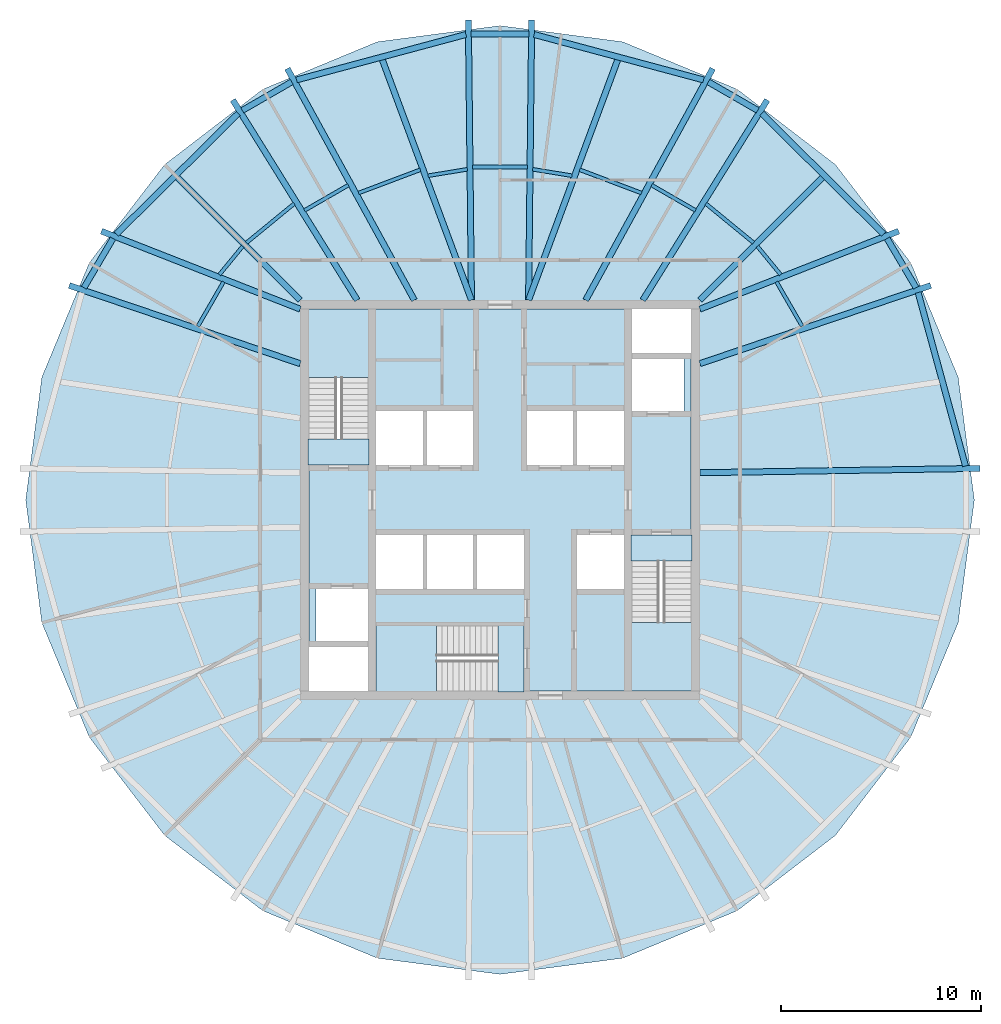
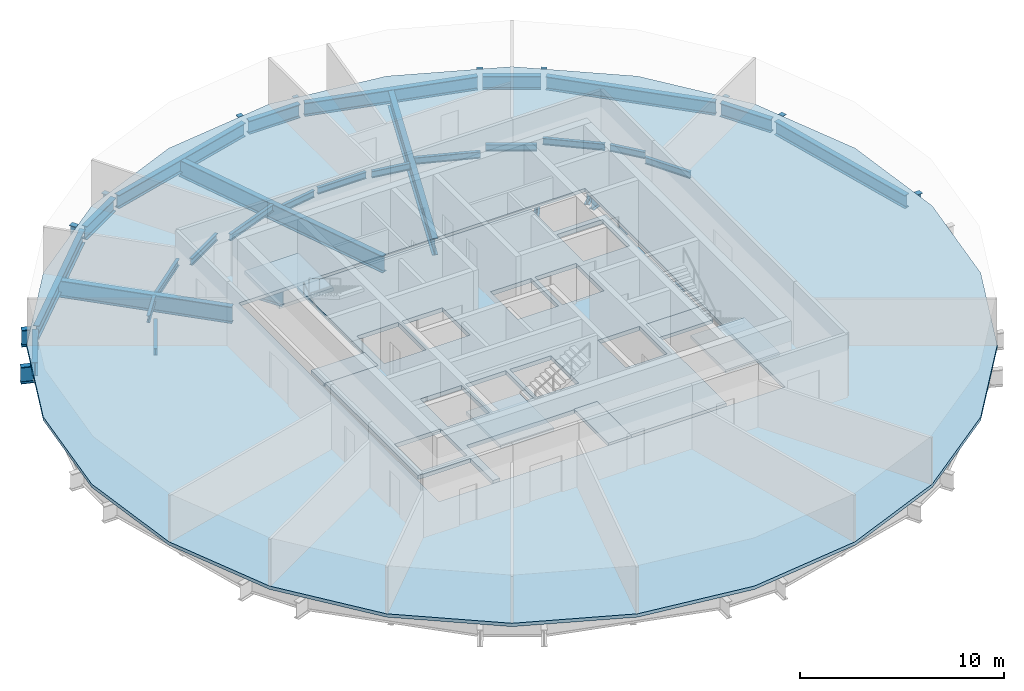
# One storey, part 2 of 6: 38 beams, 8 slabs, 3 elements without a shape of their own.
"""IFC4 building model written with IfcOpenShell, lengths in metres."""

from ifc_helpers import new_model, si_unit, direction, frame, origin, origin_2d, place, context, subcontext, project, spatial, polyline, i_section, outline, extrude, material, layer, layer_set, material_profile, profile_set, type_object, element, aggregate, save


model = new_model("IFC4")

# Units and contexts
model_context = context("Model", 3, precision=1e-05, world=origin(), true_north=direction((0.0, 1.0)))
body_context = subcontext(model_context, "Body", "Model", "MODEL_VIEW")
ifc_project = project(units=[si_unit("LENGTHUNIT", "METRE"), si_unit("AREAUNIT", "SQUARE_METRE"), si_unit("VOLUMEUNIT", "CUBIC_METRE"), si_unit("PLANEANGLEUNIT", "RADIAN"), si_unit("MASSUNIT", "GRAM", prefix="KILO")], contexts=[model_context])

# Site, building, storey
site_placement = place(None, origin())
site = spatial("IfcSite", under=ifc_project, at=site_placement, CompositionType="ELEMENT")
building_placement = place(site_placement, origin())
building = spatial("IfcBuilding", under=site, at=building_placement, Name="Golbaran Civic Tower", CompositionType="ELEMENT")
storey_placement = place(building_placement, frame((0.0, 0.0, 187.0)))
storey = spatial("IfcBuildingStorey", under=building, at=storey_placement, Name="L45", CompositionType="ELEMENT", Elevation=187.0)

# Beams
ifc_material_1 = material(Name="Steel S355", Category="steel")
ifc_material_profile_1 = material_profile(ifc_material_1, i_section(OverallWidth=0.300048828125, OverallDepth=0.800048828125, WebThickness=0.017578125, FlangeThickness=0.032958984375, FilletRadius=0.030029296875, at=origin_2d()), Name="HEB 800")
ifc_profile_set_1 = profile_set([ifc_material_profile_1], Name="Steel S355")
beam_type_1 = type_object("IfcBeamType", Name="EDGE BEAM HEB 800", PredefinedType="BEAM", material=ifc_profile_set_1)
beam_1_placement = place(storey_placement, frame((23.2900390625, 1.700439453125, -0.60009765625), z_axis=(-0.263503112091, 0.964658545766, 0.0), x_axis=(-0.964658545766, -0.263503112091, 0.0)))
element("IfcBeam", 1, at=beam_1_placement, inside=storey, type_object=beam_type_1, Name="Edge beam 3.70 L45", PredefinedType="BEAM", context=body_context, shape_type="SweptSolid", body=[
    extrude(i_section(OverallWidth=0.300048828125, OverallDepth=0.800048828125, WebThickness=0.017578125, FlangeThickness=0.032958984375, FilletRadius=0.030029296875, at=origin_2d()), origin(), (0.0, 0.0, 1.0), 8.997314453125),
])
beam_2_placement = place(storey_placement, frame((20.8173828125, 10.619873046875, -0.60009765625), z_axis=(-0.508067824536, 0.861317064542, 0.0), x_axis=(-0.861317064542, -0.508067824536, 0.0)))
element("IfcBeam", 2, at=beam_2_placement, inside=storey, type_object=beam_type_1, Name="Edge beam 26.30 L45", PredefinedType="BEAM", context=body_context, shape_type="SweptSolid", body=[
    extrude(i_section(OverallWidth=0.300048828125, OverallDepth=0.800048828125, WebThickness=0.017578125, FlangeThickness=0.032958984375, FilletRadius=0.030029296875, at=origin_2d()), origin(), (0.0, 0.0, 1.0), 2.860595703125),
])
beam_3_placement = place(storey_placement, frame((19.196044921875, 13.297119140625, -0.60009765625), z_axis=(-0.710598602397, 0.703597630945, 0.0), x_axis=(-0.703597630945, -0.710598602397, 0.0)))
element("IfcBeam", 3, at=beam_3_placement, inside=storey, type_object=beam_type_1, Name="Edge beam 33.70 L45", PredefinedType="BEAM", context=body_context, shape_type="SweptSolid", body=[
    extrude(i_section(OverallWidth=0.300048828125, OverallDepth=0.800048828125, WebThickness=0.017578125, FlangeThickness=0.032958984375, FilletRadius=0.030029296875, at=origin_2d()), origin(), (0.0, 0.0, 1.0), 8.57861328125),
])
beam_4_placement = place(storey_placement, frame((12.892822265625, 19.491943359375, -0.60009765625), z_axis=(-0.866187010848, 0.49971998383, 0.0), x_axis=(-0.49971998383, -0.866187010848, 0.0)))
element("IfcBeam", 4, at=beam_4_placement, inside=storey, type_object=beam_type_1, Name="Edge beam 56.30 L45", PredefinedType="BEAM", context=body_context, shape_type="SweptSolid", body=[
    extrude(i_section(OverallWidth=0.300048828125, OverallDepth=0.800048828125, WebThickness=0.017578125, FlangeThickness=0.032958984375, FilletRadius=0.030029296875, at=origin_2d()), origin(), (0.0, 0.0, 1.0), 2.852783203125),
])
beam_5_placement = place(storey_placement, frame((10.18017578125, 21.01708984375, -0.60009765625), z_axis=(-0.965852858325, 0.259091211866, 0.0), x_axis=(-0.259091211866, -0.965852858325, 0.0)))
element("IfcBeam", 5, at=beam_5_placement, inside=storey, type_object=beam_type_1, Name="Edge beam 63.70 L45", PredefinedType="BEAM", context=body_context, shape_type="SweptSolid", body=[
    extrude(i_section(OverallWidth=0.300048828125, OverallDepth=0.800048828125, WebThickness=0.017578125, FlangeThickness=0.032958984375, FilletRadius=0.030029296875, at=origin_2d()), origin(), (0.0, 0.0, 1.0), 8.773681640625),
])
beam_6_placement = place(storey_placement, frame((1.446533203125, 23.324951171875, -0.60009765625), z_axis=(-1.0, 0.0, 0.0), x_axis=(0.0, -1.0, 0.0)))
element("IfcBeam", 6, at=beam_6_placement, inside=storey, type_object=beam_type_1, Name="Edge beam 86.30 L45", PredefinedType="BEAM", context=body_context, shape_type="SweptSolid", body=[
    extrude(i_section(OverallWidth=0.300048828125, OverallDepth=0.800048828125, WebThickness=0.017578125, FlangeThickness=0.032958984375, FilletRadius=0.030029296875, at=origin_2d()), origin(), (0.0, 0.0, 1.0), 2.89306640625),
])
beam_7_placement = place(storey_placement, frame((-1.7060546875, 23.290283203125, -0.60009765625), z_axis=(-0.965852858325, -0.259091211866, 0.0), x_axis=(0.259091211866, -0.965852858325, 0.0)))
element("IfcBeam", 7, at=beam_7_placement, inside=storey, type_object=beam_type_1, Name="Edge beam 93.70 L45", PredefinedType="BEAM", context=body_context, shape_type="SweptSolid", body=[
    extrude(i_section(OverallWidth=0.300048828125, OverallDepth=0.800048828125, WebThickness=0.017578125, FlangeThickness=0.032958984375, FilletRadius=0.030029296875, at=origin_2d()), origin(), (0.0, 0.0, 1.0), 8.773681640625),
])
beam_8_placement = place(storey_placement, frame((-10.421875, 20.91748046875, -0.60009765625), z_axis=(-0.866187010848, -0.49971998383, 0.0), x_axis=(0.49971998383, -0.866187010848, 0.0)))
element("IfcBeam", 8, at=beam_8_placement, inside=storey, type_object=beam_type_1, Name="Edge beam 116.30 L45", PredefinedType="BEAM", context=body_context, shape_type="SweptSolid", body=[
    extrude(i_section(OverallWidth=0.300048828125, OverallDepth=0.800048828125, WebThickness=0.017578125, FlangeThickness=0.032958984375, FilletRadius=0.030029296875, at=origin_2d()), origin(), (0.0, 0.0, 1.0), 2.852783203125),
])
beam_9_placement = place(storey_placement, frame((-13.10009765625, 19.3330078125, -0.60009765625), z_axis=(-0.710598602397, -0.703597630945, 0.0), x_axis=(0.703597630945, -0.710598602397, 0.0)))
element("IfcBeam", 9, at=beam_9_placement, inside=storey, type_object=beam_type_1, Name="Edge beam 123.70 L45", PredefinedType="BEAM", context=body_context, shape_type="SweptSolid", body=[
    extrude(i_section(OverallWidth=0.300048828125, OverallDepth=0.800048828125, WebThickness=0.017578125, FlangeThickness=0.032958984375, FilletRadius=0.030029296875, at=origin_2d()), origin(), (0.0, 0.0, 1.0), 8.57861328125),
])
beam_10_placement = place(storey_placement, frame((-19.364013671875, 13.083740234375, -0.60009765625), z_axis=(-0.508067824536, -0.861317064542, 0.0), x_axis=(0.861317064542, -0.508067824536, 0.0)))
element("IfcBeam", 10, at=beam_10_placement, inside=storey, type_object=beam_type_1, Name="Edge beam 146.30 L45", PredefinedType="BEAM", context=body_context, shape_type="SweptSolid", body=[
    extrude(i_section(OverallWidth=0.300048828125, OverallDepth=0.800048828125, WebThickness=0.017578125, FlangeThickness=0.032958984375, FilletRadius=0.030029296875, at=origin_2d()), origin(), (0.0, 0.0, 1.0), 2.860595703125),
])
ifc_material_profile_2 = material_profile(ifc_material_1, i_section(OverallWidth=0.179931640625, OverallDepth=0.39990234375, WebThickness=0.008544921875, FlangeThickness=0.013427734375, FilletRadius=0.02099609375, at=origin_2d()), Name="IPE 400")
ifc_profile_set_2 = profile_set([ifc_material_profile_2], Name="Steel S355")
beam_type_2 = type_object("IfcBeamType", Name="FLOOR INFILL BEAM IPE 400", PredefinedType="BEAM", material=ifc_profile_set_2)
beam_11_placement = place(storey_placement, frame((15.116943359375, 8.690673828125, -0.39990234375), z_axis=(-0.50000507078, 0.866022476149, 0.0), x_axis=(-0.866022476149, -0.50000507078, 0.0)))
element("IfcBeam", 11, at=beam_11_placement, inside=storey, type_object=beam_type_2, Name="Infill beam 30.00 L45", PredefinedType="BEAM", context=body_context, shape_type="SweptSolid", body=[
    extrude(i_section(OverallWidth=0.179931640625, OverallDepth=0.39990234375, WebThickness=0.008544921875, FlangeThickness=0.013427734375, FilletRadius=0.02099609375, at=origin_2d()), origin(), (0.0, 0.0, 1.0), 2.5673828125),
])
beam_12_placement = place(storey_placement, frame((14.039794921875, 11.2744140625, -0.39990234375), z_axis=(-0.634063671449, 0.773280841964, 0.0), x_axis=(-0.773280841964, -0.634063671449, 0.0)))
element("IfcBeam", 12, at=beam_12_placement, inside=storey, type_object=beam_type_2, Name="Infill beam 39.35 L45", PredefinedType="BEAM", context=body_context, shape_type="SweptSolid", body=[
    extrude(i_section(OverallWidth=0.179931640625, OverallDepth=0.39990234375, WebThickness=0.008544921875, FlangeThickness=0.013427734375, FilletRadius=0.02099609375, at=origin_2d()), origin(), (0.0, 0.0, 1.0), 1.834228515625),
])
beam_13_placement = place(storey_placement, frame((12.684814453125, 12.86865234375, -0.39990234375), z_axis=(-0.773259260858, 0.634089990062, 0.0), x_axis=(-0.634089990062, -0.773259260858, 0.0)))
element("IfcBeam", 13, at=beam_13_placement, inside=storey, type_object=beam_type_2, Name="Infill beam 50.65 L45", PredefinedType="BEAM", context=body_context, shape_type="SweptSolid", body=[
    extrude(i_section(OverallWidth=0.179931640625, OverallDepth=0.39990234375, WebThickness=0.008544921875, FlangeThickness=0.013427734375, FilletRadius=0.02099609375, at=origin_2d()), origin(), (0.0, 0.0, 1.0), 3.08740234375),
])
beam_14_placement = place(storey_placement, frame((9.780517578125, 14.4873046875, -0.39990234375), z_axis=(-0.865995992199, 0.5000509389, 0.0), x_axis=(-0.5000509389, -0.865995992199, 0.0)))
element("IfcBeam", 14, at=beam_14_placement, inside=storey, type_object=beam_type_2, Name="Infill beam 60.00 L45", PredefinedType="BEAM", context=body_context, shape_type="SweptSolid", body=[
    extrude(i_section(OverallWidth=0.179931640625, OverallDepth=0.39990234375, WebThickness=0.008544921875, FlangeThickness=0.013427734375, FilletRadius=0.02099609375, at=origin_2d()), origin(), (0.0, 0.0, 1.0), 2.530517578125),
])
beam_15_placement = place(storey_placement, frame((7.076416015625, 15.358642578125, -0.39990234375), z_axis=(-0.935778084357, 0.352589530244, 0.0), x_axis=(-0.352589530244, -0.935778084357, 0.0)))
element("IfcBeam", 15, at=beam_15_placement, inside=storey, type_object=beam_type_2, Name="Infill beam 69.35 L45", PredefinedType="BEAM", context=body_context, shape_type="SweptSolid", body=[
    extrude(i_section(OverallWidth=0.179931640625, OverallDepth=0.39990234375, WebThickness=0.008544921875, FlangeThickness=0.013427734375, FilletRadius=0.02099609375, at=origin_2d()), origin(), (0.0, 0.0, 1.0), 3.30224609375),
])
beam_16_placement = place(storey_placement, frame((3.597900390625, 16.22314453125, -0.39990234375), z_axis=(-0.986719727793, 0.16243207437, 0.0), x_axis=(-0.16243207437, -0.986719727793, 0.0)))
element("IfcBeam", 16, at=beam_16_placement, inside=storey, type_object=beam_type_2, Name="Infill beam 80.65 L45", PredefinedType="BEAM", context=body_context, shape_type="SweptSolid", body=[
    extrude(i_section(OverallWidth=0.179931640625, OverallDepth=0.39990234375, WebThickness=0.008544921875, FlangeThickness=0.013427734375, FilletRadius=0.02099609375, at=origin_2d()), origin(), (0.0, 0.0, 1.0), 1.992919921875),
])
beam_17_placement = place(storey_placement, frame((1.37255859375, 16.66259765625, -0.39990234375), z_axis=(-1.0, 0.0, 0.0), x_axis=(0.0, -1.0, 0.0)))
element("IfcBeam", 17, at=beam_17_placement, inside=storey, type_object=beam_type_2, Name="Infill beam 90.00 L45", PredefinedType="BEAM", context=body_context, shape_type="SweptSolid", body=[
    extrude(i_section(OverallWidth=0.179931640625, OverallDepth=0.39990234375, WebThickness=0.008544921875, FlangeThickness=0.013427734375, FilletRadius=0.02099609375, at=origin_2d()), origin(), (0.0, 0.0, 1.0), 2.7451171875),
])
beam_18_placement = place(storey_placement, frame((-1.63134765625, 16.546875, -0.39990234375), z_axis=(-0.986719727793, -0.16243207437, 0.0), x_axis=(0.16243207437, -0.986719727793, 0.0)))
element("IfcBeam", 18, at=beam_18_placement, inside=storey, type_object=beam_type_2, Name="Infill beam 99.35 L45", PredefinedType="BEAM", context=body_context, shape_type="SweptSolid", body=[
    extrude(i_section(OverallWidth=0.179931640625, OverallDepth=0.39990234375, WebThickness=0.008544921875, FlangeThickness=0.013427734375, FilletRadius=0.02099609375, at=origin_2d()), origin(), (0.0, 0.0, 1.0), 1.992919921875),
])
beam_19_placement = place(storey_placement, frame((-3.986328125, 16.52294921875, -0.39990234375), z_axis=(-0.935778084357, -0.352589530244, 0.0), x_axis=(0.352589530244, -0.935778084357, 0.0)))
element("IfcBeam", 19, at=beam_19_placement, inside=storey, type_object=beam_type_2, Name="Infill beam 110.65 L45", PredefinedType="BEAM", context=body_context, shape_type="SweptSolid", body=[
    extrude(i_section(OverallWidth=0.179931640625, OverallDepth=0.39990234375, WebThickness=0.008544921875, FlangeThickness=0.013427734375, FilletRadius=0.02099609375, at=origin_2d()), origin(), (0.0, 0.0, 1.0), 3.30224609375),
])
beam_20_placement = place(storey_placement, frame((-7.589111328125, 15.752685546875, -0.39990234375), z_axis=(-0.865995992199, -0.5000509389, 0.0), x_axis=(0.5000509389, -0.865995992199, 0.0)))
element("IfcBeam", 20, at=beam_20_placement, inside=storey, type_object=beam_type_2, Name="Infill beam 120.00 L45", PredefinedType="BEAM", context=body_context, shape_type="SweptSolid", body=[
    extrude(i_section(OverallWidth=0.179931640625, OverallDepth=0.39990234375, WebThickness=0.008544921875, FlangeThickness=0.013427734375, FilletRadius=0.02099609375, at=origin_2d()), origin(), (0.0, 0.0, 1.0), 2.530517578125),
])
beam_21_placement = place(storey_placement, frame((-10.29736328125, 14.826416015625, -0.39990234375), z_axis=(-0.773259260858, -0.634089990062, 0.0), x_axis=(0.634089990062, -0.773259260858, 0.0)))
element("IfcBeam", 21, at=beam_21_placement, inside=storey, type_object=beam_type_2, Name="Infill beam 129.35 L45", PredefinedType="BEAM", context=body_context, shape_type="SweptSolid", body=[
    extrude(i_section(OverallWidth=0.179931640625, OverallDepth=0.39990234375, WebThickness=0.008544921875, FlangeThickness=0.013427734375, FilletRadius=0.02099609375, at=origin_2d()), origin(), (0.0, 0.0, 1.0), 3.08740234375),
])
beam_22_placement = place(storey_placement, frame((-12.876708984375, 12.69287109375, -0.39990234375), z_axis=(-0.634063671449, -0.773280841964, 0.0), x_axis=(0.773280841964, -0.634063671449, 0.0)))
element("IfcBeam", 22, at=beam_22_placement, inside=storey, type_object=beam_type_2, Name="Infill beam 140.65 L45", PredefinedType="BEAM", context=body_context, shape_type="SweptSolid", body=[
    extrude(i_section(OverallWidth=0.179931640625, OverallDepth=0.39990234375, WebThickness=0.008544921875, FlangeThickness=0.013427734375, FilletRadius=0.02099609375, at=origin_2d()), origin(), (0.0, 0.0, 1.0), 1.834228515625),
])
beam_23_placement = place(storey_placement, frame((-13.833251953125, 10.9140625, -0.39990234375), z_axis=(-0.50000507078, -0.866022476149, 0.0), x_axis=(0.866022476149, -0.50000507078, 0.0)))
element("IfcBeam", 23, at=beam_23_placement, inside=storey, type_object=beam_type_2, Name="Infill beam 150.00 L45", PredefinedType="BEAM", context=body_context, shape_type="SweptSolid", body=[
    extrude(i_section(OverallWidth=0.179931640625, OverallDepth=0.39990234375, WebThickness=0.008544921875, FlangeThickness=0.013427734375, FilletRadius=0.02099609375, at=origin_2d()), origin(), (0.0, 0.0, 1.0), 2.5673828125),
])
ifc_material_profile_3 = material_profile(ifc_material_1, i_section(OverallWidth=0.300048828125, OverallDepth=1.0, WebThickness=0.01904296875, FlangeThickness=0.035888671875, FilletRadius=0.030029296875, at=origin_2d()), Name="HEB 1000")
ifc_profile_set_3 = profile_set([ifc_material_profile_3], Name="Steel S355")
beam_type_3 = type_object("IfcBeamType", Name="RADIAL FLOOR BEAM HEB 1000", PredefinedType="BEAM", material=ifc_profile_set_3)
beam_24_placement = place(storey_placement, frame((10.0, 1.3642578125, -0.7099609375), z_axis=(0.999879545466, 0.01552077831, 0.0), x_axis=(-0.01552077831, 0.999879545466, 0.0)))
element("IfcBeam", 24, at=beam_24_placement, inside=storey, type_object=beam_type_3, Name="Radial beam 3.70 L45", PredefinedType="BEAM", context=body_context, shape_type="SweptSolid", body=[
    extrude(i_section(OverallWidth=0.300048828125, OverallDepth=1.0, WebThickness=0.01904296875, FlangeThickness=0.035888671875, FilletRadius=0.030029296875, at=origin_2d()), origin(), (0.0, 0.0, 1.0), 14.015380859375),
])
beam_25_placement = place(storey_placement, frame((10.0, 6.821533203125, -0.7099609375), z_axis=(0.947219990902, 0.32058429287, 0.0), x_axis=(-0.32058429287, 0.947219990902, 0.0)))
element("IfcBeam", 25, at=beam_25_placement, inside=storey, type_object=beam_type_3, Name="Radial beam 26.30 L45", PredefinedType="BEAM", context=body_context, shape_type="SweptSolid", body=[
    extrude(i_section(OverallWidth=0.300048828125, OverallDepth=1.0, WebThickness=0.01904296875, FlangeThickness=0.035888671875, FilletRadius=0.030029296875, at=origin_2d()), origin(), (0.0, 0.0, 1.0), 12.1962890625),
])
beam_26_placement = place(storey_placement, frame((10.0, 9.550048828125, -0.7099609375), z_axis=(0.930935568515, 0.365183470701, 0.0), x_axis=(-0.365183470701, 0.930935568515, 0.0)))
element("IfcBeam", 26, at=beam_26_placement, inside=storey, type_object=beam_type_3, Name="Radial beam 33.70 L45", PredefinedType="BEAM", context=body_context, shape_type="SweptSolid", body=[
    extrude(i_section(OverallWidth=0.300048828125, OverallDepth=1.0, WebThickness=0.01904296875, FlangeThickness=0.035888671875, FilletRadius=0.030029296875, at=origin_2d()), origin(), (0.0, 0.0, 1.0), 10.681396484375),
])
beam_27_placement = place(storey_placement, frame((7.142822265625, 10.0, -0.7099609375), z_axis=(0.52810648102, 0.8491781584, 0.0), x_axis=(-0.8491781584, 0.52810648102, 0.0)))
element("IfcBeam", 27, at=beam_27_placement, inside=storey, type_object=beam_type_3, Name="Radial beam 56.30 L45", PredefinedType="BEAM", context=body_context, shape_type="SweptSolid", body=[
    extrude(i_section(OverallWidth=0.300048828125, OverallDepth=1.0, WebThickness=0.01904296875, FlangeThickness=0.035888671875, FilletRadius=0.030029296875, at=origin_2d()), origin(), (0.0, 0.0, 1.0), 11.789794921875),
])
beam_28_placement = place(storey_placement, frame((4.28564453125, 10.0, -0.7099609375), z_axis=(0.480899964236, 0.876775469774, 0.0), x_axis=(-0.876775469774, 0.480899964236, 0.0)))
element("IfcBeam", 28, at=beam_28_placement, inside=storey, type_object=beam_type_3, Name="Radial beam 63.70 L45", PredefinedType="BEAM", context=body_context, shape_type="SweptSolid", body=[
    extrude(i_section(OverallWidth=0.300048828125, OverallDepth=1.0, WebThickness=0.01904296875, FlangeThickness=0.035888671875, FilletRadius=0.030029296875, at=origin_2d()), origin(), (0.0, 0.0, 1.0), 13.21435546875),
])
for number, where, z_axis, x_axis, name in (
    (29, (1.428466796875, 10.0, -0.7099609375), (0.011114683277, 0.99993823, 0.0), (-0.99993823, 0.011114683277, 0.0), "Radial beam 86.30 L45"),
    (30, (-1.428466796875, 10.0, -0.7099609375), (-0.011114683277, 0.99993823, 0.0), (-0.99993823, -0.011114683277, 0.0), "Radial beam 93.70 L45"),
):
    element("IfcBeam", number, at=place(storey_placement, frame(where, z_axis=z_axis, x_axis=x_axis)), inside=storey, type_object=beam_type_3, Name=name, PredefinedType="BEAM", context=body_context, shape_type="SweptSolid", body=[
        extrude(i_section(OverallWidth=0.300048828125, OverallDepth=1.0, WebThickness=0.01904296875, FlangeThickness=0.035888671875, FilletRadius=0.030029296875, at=origin_2d()), origin(), (0.0, 0.0, 1.0), 14.01416015625),
    ])
beam_29_placement = place(storey_placement, frame((-4.28564453125, 10.0, -0.7099609375), z_axis=(-0.480899964236, 0.876775469774, 0.0), x_axis=(-0.876775469774, -0.480899964236, 0.0)))
element("IfcBeam", 31, at=beam_29_placement, inside=storey, type_object=beam_type_3, Name="Radial beam 116.30 L45", PredefinedType="BEAM", context=body_context, shape_type="SweptSolid", body=[
    extrude(i_section(OverallWidth=0.300048828125, OverallDepth=1.0, WebThickness=0.01904296875, FlangeThickness=0.035888671875, FilletRadius=0.030029296875, at=origin_2d()), origin(), (0.0, 0.0, 1.0), 13.21435546875),
])
beam_30_placement = place(storey_placement, frame((-7.142822265625, 10.0, -0.7099609375), z_axis=(-0.52810648102, 0.8491781584, 0.0), x_axis=(-0.8491781584, -0.52810648102, 0.0)))
element("IfcBeam", 32, at=beam_30_placement, inside=storey, type_object=beam_type_3, Name="Radial beam 123.70 L45", PredefinedType="BEAM", context=body_context, shape_type="SweptSolid", body=[
    extrude(i_section(OverallWidth=0.300048828125, OverallDepth=1.0, WebThickness=0.01904296875, FlangeThickness=0.035888671875, FilletRadius=0.030029296875, at=origin_2d()), origin(), (0.0, 0.0, 1.0), 11.789794921875),
])
beam_31_placement = place(storey_placement, frame((-10.0, 9.550048828125, -0.7099609375), z_axis=(-0.930935568515, 0.365183470701, 0.0), x_axis=(-0.365183470701, -0.930935568515, 0.0)))
element("IfcBeam", 33, at=beam_31_placement, inside=storey, type_object=beam_type_3, Name="Radial beam 146.30 L45", PredefinedType="BEAM", context=body_context, shape_type="SweptSolid", body=[
    extrude(i_section(OverallWidth=0.300048828125, OverallDepth=1.0, WebThickness=0.01904296875, FlangeThickness=0.035888671875, FilletRadius=0.030029296875, at=origin_2d()), origin(), (0.0, 0.0, 1.0), 10.681396484375),
])
beam_32_placement = place(storey_placement, frame((-10.0, 6.821533203125, -0.7099609375), z_axis=(-0.947219990902, 0.32058429287, 0.0), x_axis=(-0.32058429287, -0.947219990902, 0.0)))
element("IfcBeam", 34, at=beam_32_placement, inside=storey, type_object=beam_type_3, Name="Radial beam 153.70 L45", PredefinedType="BEAM", context=body_context, shape_type="SweptSolid", body=[
    extrude(i_section(OverallWidth=0.300048828125, OverallDepth=1.0, WebThickness=0.01904296875, FlangeThickness=0.035888671875, FilletRadius=0.030029296875, at=origin_2d()), origin(), (0.0, 0.0, 1.0), 12.1962890625),
])
ifc_material_profile_4 = material_profile(ifc_material_1, i_section(OverallWidth=0.300048828125, OverallDepth=1.0, WebThickness=0.01904296875, FlangeThickness=0.035888671875, FilletRadius=0.030029296875, at=origin_2d()), Name="HEB 1000")
ifc_profile_set_4 = profile_set([ifc_material_profile_4], Name="Steel S355")
beam_type_4 = type_object("IfcBeamType", Name="SECONDARY FLOOR BEAM HEB 1000", PredefinedType="BEAM", material=ifc_profile_set_4)
beam_33_placement = place(storey_placement, frame((10.0, 10.0, -0.7099609375), z_axis=(0.707106781187, 0.707106781187, 0.0), x_axis=(-0.707106781187, 0.707106781187, 0.0)))
element("IfcBeam", 35, at=beam_33_placement, inside=storey, type_object=beam_type_4, Name="Secondary beam 45.00 L45", PredefinedType="BEAM", context=body_context, shape_type="SweptSolid", body=[
    extrude(i_section(OverallWidth=0.300048828125, OverallDepth=1.0, WebThickness=0.01904296875, FlangeThickness=0.035888671875, FilletRadius=0.030029296875, at=origin_2d()), origin(), (0.0, 0.0, 1.0), 8.813232421875),
])
for number, where, z_axis, x_axis, name in (
    (36, (1.428466796875, 10.0, -0.7099609375), (0.347722185652, 0.937597611775, 0.0), (-0.937597611775, 0.347722185652, 0.0), "Secondary beam 75.00 L45"),
    (37, (-1.428466796875, 10.0, -0.7099609375), (-0.347722185652, 0.937597611775, 0.0), (-0.937597611775, -0.347722185652, 0.0), "Secondary beam 105.00 L45"),
):
    element("IfcBeam", number, at=place(storey_placement, frame(where, z_axis=z_axis, x_axis=x_axis)), inside=storey, type_object=beam_type_4, Name=name, PredefinedType="BEAM", context=body_context, shape_type="SweptSolid", body=[
        extrude(i_section(OverallWidth=0.300048828125, OverallDepth=1.0, WebThickness=0.01904296875, FlangeThickness=0.035888671875, FilletRadius=0.030029296875, at=origin_2d()), origin(), (0.0, 0.0, 1.0), 12.964599609375),
    ])
beam_34_placement = place(storey_placement, frame((-10.0, 10.0, -0.7099609375), z_axis=(-0.707106781187, 0.707106781187, 0.0), x_axis=(-0.707106781187, -0.707106781187, 0.0)))
element("IfcBeam", 38, at=beam_34_placement, inside=storey, type_object=beam_type_4, Name="Secondary beam 135.00 L45", PredefinedType="BEAM", context=body_context, shape_type="SweptSolid", body=[
    extrude(i_section(OverallWidth=0.300048828125, OverallDepth=1.0, WebThickness=0.01904296875, FlangeThickness=0.035888671875, FilletRadius=0.030029296875, at=origin_2d()), origin(), (0.0, 0.0, 1.0), 8.813232421875),
])

# Slabs
ifc_material_2 = material(Name="Concrete LC30/33 lightweight on steel deck", Category="concrete")
ifc_layer_1 = layer(ifc_material_2, 0.199951171875, Name="Concrete LC30/33 lightweight on steel deck")
ifc_layer_set_1 = layer_set([ifc_layer_1], Name="Concrete LC30/33 lightweight on steel deck")
slab_type_1 = type_object("IfcSlabType", Name="COMPOSITE FLOOR SLAB 200", PredefinedType="FLOOR", material=ifc_layer_set_1)
slab_1_placement = place(storey_placement, frame((0.0, 0.0, -0.199951171875)))
element("IfcSlab", 39, at=slab_1_placement, inside=storey, type_object=slab_type_1, Name="Floor slab L45", PredefinedType="FLOOR", context=body_context, shape_type="SweptSolid", body=[
    extrude(outline(polyline([(20.552001953125, -11.86572265625), (16.780517578125, -16.780517578125), (11.86572265625, -20.552001953125), (6.14208984375, -22.922607421875), (0.0, -23.731201171875), (-6.14208984375, -22.922607421875), (-11.86572265625, -20.552001953125), (-16.780517578125, -16.780517578125), (-20.552001953125, -11.86572265625), (-22.922607421875, -6.14208984375), (-23.731201171875, 0.0), (-22.922607421875, 6.14208984375), (-20.552001953125, 11.86572265625), (-16.780517578125, 16.780517578125), (-11.86572265625, 20.552001953125), (-6.14208984375, 22.922607421875), (0.0, 23.731201171875), (6.14208984375, 22.922607421875), (11.86572265625, 20.552001953125), (16.780517578125, 16.780517578125), (20.552001953125, 11.86572265625), (22.922607421875, 6.14208984375), (23.731201171875, 0.0), (22.922607421875, -6.14208984375), (20.552001953125, -11.86572265625)]), holes=[polyline([(-9.77490234375, 9.77490234375), (-9.77490234375, -9.77490234375), (9.77490234375, -9.77490234375), (9.77490234375, 9.77490234375), (-9.77490234375, 9.77490234375)])]), origin(), (0.0, 0.0, 1.0), 0.199951171875),
])
ifc_material_3 = material(Name="Concrete C35/45", Category="concrete")
ifc_layer_2 = layer(ifc_material_3, 0.25, Name="Concrete C35/45")
ifc_layer_set_2 = layer_set([ifc_layer_2], Name="Concrete C35/45")
slab_type_2 = type_object("IfcSlabType", Name="CORE FLOOR SLAB 250", PredefinedType="FLOOR", material=ifc_layer_set_2)
slab_2_placement = place(storey_placement, frame((0.0, 0.0, -0.25)))
element("IfcSlab", 40, at=slab_2_placement, inside=storey, type_object=slab_type_2, Name="Core floor slab L45", PredefinedType="FLOOR", context=body_context, shape_type="SweptSolid", body=[
    extrude(outline(polyline([(6.60009765625, -1.75), (6.60009765625, -9.550048828125), (1.199951171875, -9.550048828125), (1.199951171875, -6.300048828125), (-6.199951171875, -6.300048828125), (-6.199951171875, -9.550048828125), (-6.60009765625, -9.550048828125), (-6.60009765625, -7.35009765625), (-9.550048828125, -7.35009765625), (-9.550048828125, 1.75), (-6.60009765625, 1.75), (-6.60009765625, 9.550048828125), (6.60009765625, 9.550048828125), (6.60009765625, 7.35009765625), (9.550048828125, 7.35009765625), (9.550048828125, -1.75), (6.60009765625, -1.75)]), holes=[polyline([(9.199951171875, 7.050048828125), (6.60009765625, 7.050048828125), (6.60009765625, 4.449951171875), (9.199951171875, 4.449951171875), (9.199951171875, 7.050048828125)]), polyline([(6.199951171875, -1.75), (3.85009765625, -1.75), (3.85009765625, -4.449951171875), (6.199951171875, -4.449951171875), (6.199951171875, -1.75)]), polyline([(6.199951171875, 4.449951171875), (3.85009765625, 4.449951171875), (3.85009765625, 1.75), (6.199951171875, 1.75), (6.199951171875, 4.449951171875)]), polyline([(3.64990234375, 4.449951171875), (1.35009765625, 4.449951171875), (1.35009765625, 1.75), (3.64990234375, 1.75), (3.64990234375, 4.449951171875)]), polyline([(1.199951171875, -1.75), (-1.14990234375, -1.75), (-1.14990234375, -4.449951171875), (1.199951171875, -4.449951171875), (1.199951171875, -1.75)]), polyline([(-1.35009765625, 4.449951171875), (-3.64990234375, 4.449951171875), (-3.64990234375, 1.75), (-1.35009765625, 1.75), (-1.35009765625, 4.449951171875)]), polyline([(-1.35009765625, -1.75), (-3.64990234375, -1.75), (-3.64990234375, -4.449951171875), (-1.35009765625, -4.449951171875), (-1.35009765625, -1.75)]), polyline([(-3.85009765625, -1.75), (-6.199951171875, -1.75), (-6.199951171875, -4.449951171875), (-3.85009765625, -4.449951171875), (-3.85009765625, -1.75)]), polyline([(-3.85009765625, 4.449951171875), (-6.199951171875, 4.449951171875), (-6.199951171875, 1.75), (-3.85009765625, 1.75), (-3.85009765625, 4.449951171875)]), polyline([(-6.60009765625, -4.449951171875), (-9.199951171875, -4.449951171875), (-9.199951171875, -7.050048828125), (-6.60009765625, -7.050048828125), (-6.60009765625, -4.449951171875)])]), origin(), (0.0, 0.0, 1.0), 0.25),
])

# Stair, slab
stair_type_1 = type_object("IfcStairType", Name="EXIT STAIR 2950 x 7800, 4000 RISE", PredefinedType="HALF_TURN_STAIR", material=ifc_material_3)
stair_1_placement = place(storey_placement, origin())
stair_1 = element("IfcStair", 41, at=stair_1_placement, inside=storey, type_object=stair_type_1, Name="Stair S1 L45", PredefinedType="HALF_TURN_STAIR")
ifc_layer_3 = layer(ifc_material_3, 0.199951171875, Name="Concrete C35/45")
ifc_layer_set_3 = layer_set([ifc_layer_3], Name="Concrete C35/45")
slab_type_3 = type_object("IfcSlabType", Name="STAIR LANDING 200", PredefinedType="LANDING", material=ifc_layer_set_3)
slab_3_placement = place(storey_placement, frame((0.0, 0.0, 1.800048828125)))
slab_3 = element("IfcSlab", 42, at=slab_3_placement, type_object=slab_type_3, Name="ST29578-40 landing 1", PredefinedType="LANDING", context=body_context, shape_type="SweptSolid", body=[
    extrude(outline(polyline([(-9.60009765625, 6.125), (-9.60009765625, 9.550048828125), (-6.550048828125, 9.550048828125), (-6.550048828125, 6.125), (-9.60009765625, 6.125)])), origin(), (0.0, 0.0, 1.0), 0.199951171875),
])
aggregate(stair_1, [slab_3])

# Slab
slab_4_placement = place(storey_placement, frame((0.0, 0.0, -0.199951171875)))
element("IfcSlab", 43, at=slab_4_placement, inside=storey, type_object=slab_type_3, Name="Stair S1 floor landing L45", PredefinedType="LANDING", context=body_context, shape_type="SweptSolid", body=[
    extrude(outline(polyline([(-9.60009765625, 1.75), (-9.60009765625, 3.054931640625), (-6.550048828125, 3.054931640625), (-6.550048828125, 1.75), (-9.60009765625, 1.75)])), origin(), (0.0, 0.0, 1.0), 0.199951171875),
])

# Stair, slab
stair_2_placement = place(storey_placement, origin())
stair_2 = element("IfcStair", 44, at=stair_2_placement, inside=storey, type_object=stair_type_1, Name="Stair S2 L45", PredefinedType="HALF_TURN_STAIR")
slab_5_placement = place(storey_placement, frame((0.0, 0.0, 1.800048828125)))
slab_5 = element("IfcSlab", 45, at=slab_5_placement, type_object=slab_type_3, Name="ST29578-40 landing 1", PredefinedType="LANDING", context=body_context, shape_type="SweptSolid", body=[
    extrude(outline(polyline([(9.60009765625, -6.125), (9.60009765625, -9.550048828125), (6.550048828125, -9.550048828125), (6.550048828125, -6.125), (9.60009765625, -6.125)])), origin(), (0.0, 0.0, 1.0), 0.199951171875),
])
aggregate(stair_2, [slab_5])

# Slab
slab_6_placement = place(storey_placement, frame((0.0, 0.0, -0.199951171875)))
element("IfcSlab", 46, at=slab_6_placement, inside=storey, type_object=slab_type_3, Name="Stair S2 floor landing L45", PredefinedType="LANDING", context=body_context, shape_type="SweptSolid", body=[
    extrude(outline(polyline([(9.60009765625, -1.75), (9.60009765625, -3.054931640625), (6.550048828125, -3.054931640625), (6.550048828125, -1.75), (9.60009765625, -1.75)])), origin(), (0.0, 0.0, 1.0), 0.199951171875),
])

# Stair, slab
stair_type_2 = type_object("IfcStairType", Name="EXIT STAIR 3250 x 7400, 4000 RISE", PredefinedType="HALF_TURN_STAIR", material=ifc_material_3)
stair_3_placement = place(storey_placement, origin())
stair_3 = element("IfcStair", 47, at=stair_3_placement, inside=storey, type_object=stair_type_2, Name="Stair S3 L45", PredefinedType="HALF_TURN_STAIR")
slab_7_placement = place(storey_placement, frame((0.0, 0.0, 1.800048828125)))
slab_7 = element("IfcSlab", 48, at=slab_7_placement, type_object=slab_type_3, Name="ST32574-40 landing 1", PredefinedType="LANDING", context=body_context, shape_type="SweptSolid", body=[
    extrude(outline(polyline([(-3.175048828125, -9.60009765625), (-6.199951171875, -9.60009765625), (-6.199951171875, -6.25), (-3.175048828125, -6.25), (-3.175048828125, -9.60009765625)])), origin(), (0.0, 0.0, 1.0), 0.199951171875),
])
aggregate(stair_3, [slab_7])

# Slab
slab_8_placement = place(storey_placement, frame((0.0, 0.0, -0.199951171875)))
element("IfcSlab", 49, at=slab_8_placement, inside=storey, type_object=slab_type_3, Name="Stair S3 floor landing L45", PredefinedType="LANDING", context=body_context, shape_type="SweptSolid", body=[
    extrude(outline(polyline([(1.199951171875, -9.60009765625), (-0.10498046875, -9.60009765625), (-0.10498046875, -6.25), (1.199951171875, -6.25), (1.199951171875, -9.60009765625)])), origin(), (0.0, 0.0, 1.0), 0.199951171875),
])

save(model, "model.ifc")
